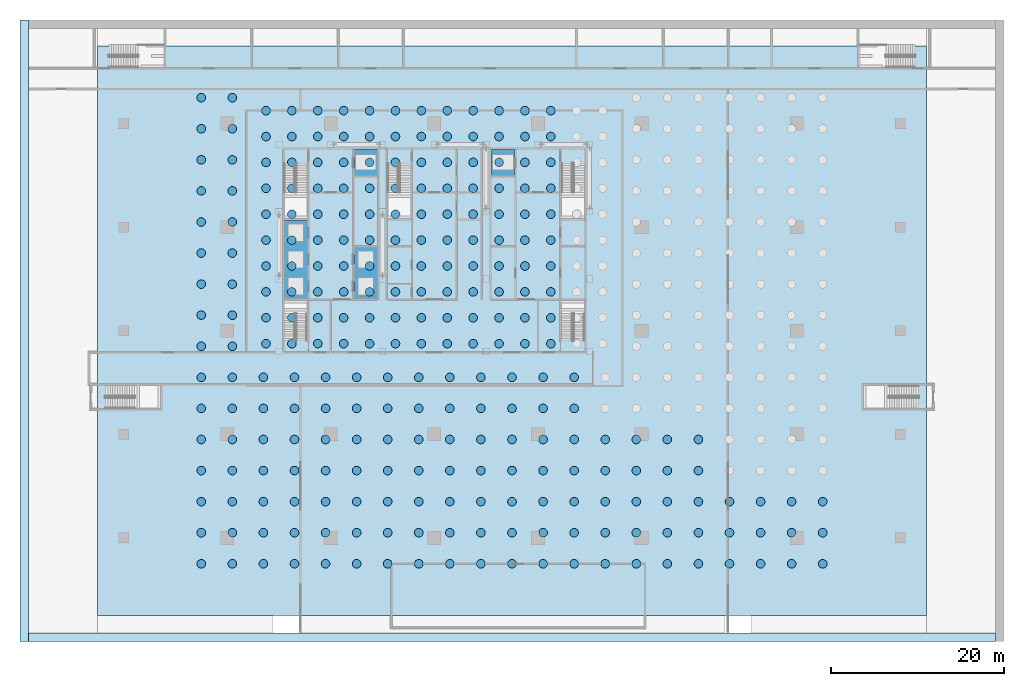
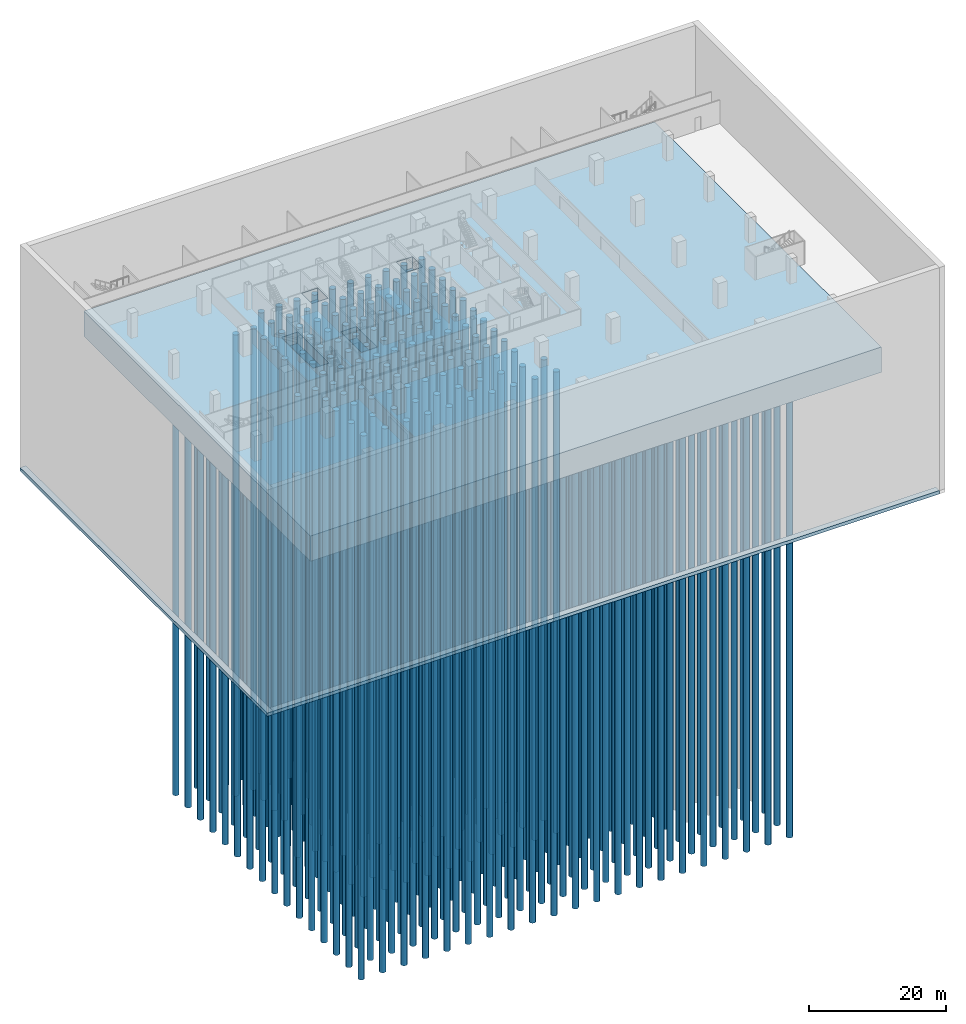
# One storey, part 1 of 18: 261 piles, 7 footings.
"""IFC4 building model written with IfcOpenShell, lengths in metres."""

from ifc_helpers import new_model, si_unit, direction, frame, origin, origin_2d, place, context, subcontext, project, spatial, polyline, circle, outline, extrude, material, layer, layer_set, material_profile, profile_set, type_object, element, save


model = new_model("IFC4")

# Units and contexts
model_context = context("Model", 3, precision=1e-05, world=origin(), true_north=direction((0.0, 1.0)))
body_context = subcontext(model_context, "Body", "Model", "MODEL_VIEW")
ifc_project = project(units=[si_unit("LENGTHUNIT", "METRE"), si_unit("AREAUNIT", "SQUARE_METRE"), si_unit("VOLUMEUNIT", "CUBIC_METRE"), si_unit("PLANEANGLEUNIT", "RADIAN"), si_unit("MASSUNIT", "GRAM", prefix="KILO")], contexts=[model_context])

# Site, building, storey
site_placement = place(None, origin())
site = spatial("IfcSite", under=ifc_project, at=site_placement, CompositionType="ELEMENT")
building_placement = place(site_placement, origin())
building = spatial("IfcBuilding", under=site, at=building_placement, Name="Sorahane Residences", CompositionType="ELEMENT")
storey_placement = place(building_placement, frame((0.0, 0.0, -13.5)))
storey = spatial("IfcBuildingStorey", under=building, at=storey_placement, Name="B3", CompositionType="ELEMENT", Elevation=-13.5)

# Piles
ifc_material_1 = material(Name="Concrete C40", Category="concrete")
ifc_material_profile = material_profile(ifc_material_1, circle(Radius=0.5, at=origin_2d()), Name="D1000")
ifc_profile_set = profile_set([ifc_material_profile], Name="Concrete C40")
pile_type = type_object("IfcPileType", Name="Bored pile D1000 Concrete C40", PredefinedType="BORED", material=ifc_profile_set)
for number, where, z_axis, x_axis, name in (
    (1, (-3.0, -3.0, -4.39990234375), (0.0, 0.0, -1.0), (1.0, 0.0, 0.0), "Pile P001"),
    (2, (0.60009765625, -3.0, -4.39990234375), (0.0, 0.0, -1.0), (1.0, 0.0, 0.0), "Pile P002"),
    (3, (4.199951171875, -3.0, -4.39990234375), (0.0, 0.0, -1.0), (1.0, 0.0, 0.0), "Pile P003"),
    (4, (7.800048828125, -3.0, -4.39990234375), (0.0, 0.0, -1.0), (1.0, 0.0, 0.0), "Pile P004"),
    (5, (11.39990234375, -3.0, -4.39990234375), (0.0, 0.0, -1.0), (1.0, 0.0, 0.0), "Pile P005"),
    (6, (15.0, -3.0, -4.39990234375), (0.0, 0.0, -1.0), (1.0, 0.0, 0.0), "Pile P006"),
    (7, (18.60009765625, -3.0, -4.39990234375), (0.0, 0.0, -1.0), (1.0, 0.0, 0.0), "Pile P007"),
    (8, (22.199951171875, -3.0, -4.39990234375), (0.0, 0.0, -1.0), (1.0, 0.0, 0.0), "Pile P008"),
    (9, (25.800048828125, -3.0, -4.39990234375), (0.0, 0.0, -1.0), (1.0, 0.0, 0.0), "Pile P009"),
    (10, (29.39990234375, -3.0, -4.39990234375), (0.0, 0.0, -1.0), (1.0, 0.0, 0.0), "Pile P010"),
    (11, (33.0, -3.0, -4.39990234375), (0.0, 0.0, -1.0), (1.0, 0.0, 0.0), "Pile P011"),
    (12, (36.60009765625, -3.0, -4.39990234375), (0.0, 0.0, -1.0), (1.0, 0.0, 0.0), "Pile P012"),
    (13, (40.199951171875, -3.0, -4.39990234375), (0.0, 0.0, -1.0), (1.0, 0.0, 0.0), "Pile P013"),
    (14, (43.800048828125, -3.0, -4.39990234375), (0.0, 0.0, -1.0), (1.0, 0.0, 0.0), "Pile P014"),
    (15, (47.39990234375, -3.0, -4.39990234375), (0.0, 0.0, -1.0), (1.0, 0.0, 0.0), "Pile P015"),
    (16, (51.0, -3.0, -4.39990234375), (0.0, 0.0, -1.0), (1.0, 0.0, 0.0), "Pile P016"),
    (17, (54.60009765625, -3.0, -4.39990234375), (0.0, 0.0, -1.0), (1.0, 0.0, 0.0), "Pile P017"),
    (18, (58.199951171875, -3.0, -4.39990234375), (0.0, 0.0, -1.0), (1.0, 0.0, 0.0), "Pile P018"),
    (19, (61.800048828125, -3.0, -4.39990234375), (0.0, 0.0, -1.0), (1.0, 0.0, 0.0), "Pile P019"),
    (20, (65.39990234375, -3.0, -4.39990234375), (0.0, 0.0, -1.0), (1.0, 0.0, 0.0), "Pile P020"),
    (21, (69.0, -3.0, -4.39990234375), (0.0, 0.0, -1.0), (1.0, 0.0, 0.0), "Pile P021"),
    (22, (-3.0, 0.60009765625, -4.39990234375), (0.0, 0.0, -1.0), (1.0, 0.0, 0.0), "Pile P022"),
    (23, (0.60009765625, 0.60009765625, -4.39990234375), (0.0, 0.0, -1.0), (1.0, 0.0, 0.0), "Pile P023"),
    (24, (4.199951171875, 0.60009765625, -4.39990234375), (0.0, 0.0, -1.0), (1.0, 0.0, 0.0), "Pile P024"),
    (25, (7.800048828125, 0.60009765625, -4.39990234375), (0.0, 0.0, -1.0), (1.0, 0.0, 0.0), "Pile P025"),
    (26, (11.39990234375, 0.60009765625, -4.39990234375), (0.0, 0.0, -1.0), (1.0, 0.0, 0.0), "Pile P026"),
    (27, (15.0, 0.60009765625, -4.39990234375), (0.0, 0.0, -1.0), (1.0, 0.0, 0.0), "Pile P027"),
    (28, (18.60009765625, 0.60009765625, -4.39990234375), (0.0, 0.0, -1.0), (1.0, 0.0, 0.0), "Pile P028"),
    (29, (22.199951171875, 0.60009765625, -4.39990234375), (0.0, 0.0, -1.0), (1.0, 0.0, 0.0), "Pile P029"),
    (30, (25.800048828125, 0.60009765625, -4.39990234375), (0.0, 0.0, -1.0), (1.0, 0.0, 0.0), "Pile P030"),
    (31, (29.39990234375, 0.60009765625, -4.39990234375), (0.0, 0.0, -1.0), (1.0, 0.0, 0.0), "Pile P031"),
    (32, (33.0, 0.60009765625, -4.39990234375), (0.0, 0.0, -1.0), (1.0, 0.0, 0.0), "Pile P032"),
    (33, (36.60009765625, 0.60009765625, -4.39990234375), (0.0, 0.0, -1.0), (1.0, 0.0, 0.0), "Pile P033"),
    (34, (40.199951171875, 0.60009765625, -4.39990234375), (0.0, 0.0, -1.0), (1.0, 0.0, 0.0), "Pile P034"),
    (35, (43.800048828125, 0.60009765625, -4.39990234375), (0.0, 0.0, -1.0), (1.0, 0.0, 0.0), "Pile P035"),
    (36, (47.39990234375, 0.60009765625, -4.39990234375), (0.0, 0.0, -1.0), (1.0, 0.0, 0.0), "Pile P036"),
    (37, (51.0, 0.60009765625, -4.39990234375), (0.0, 0.0, -1.0), (1.0, 0.0, 0.0), "Pile P037"),
    (38, (54.60009765625, 0.60009765625, -4.39990234375), (0.0, 0.0, -1.0), (1.0, 0.0, 0.0), "Pile P038"),
    (39, (58.199951171875, 0.60009765625, -4.39990234375), (0.0, 0.0, -1.0), (1.0, 0.0, 0.0), "Pile P039"),
    (40, (61.800048828125, 0.60009765625, -4.39990234375), (0.0, 0.0, -1.0), (1.0, 0.0, 0.0), "Pile P040"),
    (41, (65.39990234375, 0.60009765625, -4.39990234375), (0.0, 0.0, -1.0), (1.0, 0.0, 0.0), "Pile P041"),
    (42, (69.0, 0.60009765625, -4.39990234375), (0.0, 0.0, -1.0), (1.0, 0.0, 0.0), "Pile P042"),
    (43, (-3.0, 4.199951171875, -4.39990234375), (0.0, 0.0, -1.0), (1.0, 0.0, 0.0), "Pile P043"),
    (44, (0.60009765625, 4.199951171875, -4.39990234375), (0.0, 0.0, -1.0), (1.0, 0.0, 0.0), "Pile P044"),
    (45, (4.199951171875, 4.199951171875, -4.39990234375), (0.0, 0.0, -1.0), (1.0, 0.0, 0.0), "Pile P045"),
    (46, (7.800048828125, 4.199951171875, -4.39990234375), (0.0, 0.0, -1.0), (1.0, 0.0, 0.0), "Pile P046"),
    (47, (11.39990234375, 4.199951171875, -4.39990234375), (0.0, 0.0, -1.0), (1.0, 0.0, 0.0), "Pile P047"),
    (48, (15.0, 4.199951171875, -4.39990234375), (0.0, 0.0, -1.0), (1.0, 0.0, 0.0), "Pile P048"),
    (49, (18.60009765625, 4.199951171875, -4.39990234375), (0.0, 0.0, -1.0), (1.0, 0.0, 0.0), "Pile P049"),
    (50, (22.199951171875, 4.199951171875, -4.39990234375), (0.0, 0.0, -1.0), (1.0, 0.0, 0.0), "Pile P050"),
    (51, (25.800048828125, 4.199951171875, -4.39990234375), (0.0, 0.0, -1.0), (1.0, 0.0, 0.0), "Pile P051"),
    (52, (29.39990234375, 4.199951171875, -4.39990234375), (0.0, 0.0, -1.0), (1.0, 0.0, 0.0), "Pile P052"),
    (53, (33.0, 4.199951171875, -4.39990234375), (0.0, 0.0, -1.0), (1.0, 0.0, 0.0), "Pile P053"),
    (54, (36.60009765625, 4.199951171875, -4.39990234375), (0.0, 0.0, -1.0), (1.0, 0.0, 0.0), "Pile P054"),
    (55, (40.199951171875, 4.199951171875, -4.39990234375), (0.0, 0.0, -1.0), (1.0, 0.0, 0.0), "Pile P055"),
    (56, (43.800048828125, 4.199951171875, -4.39990234375), (0.0, 0.0, -1.0), (1.0, 0.0, 0.0), "Pile P056"),
    (57, (47.39990234375, 4.199951171875, -4.39990234375), (0.0, 0.0, -1.0), (1.0, 0.0, 0.0), "Pile P057"),
    (58, (51.0, 4.199951171875, -4.39990234375), (0.0, 0.0, -1.0), (1.0, 0.0, 0.0), "Pile P058"),
    (59, (54.60009765625, 4.199951171875, -4.39990234375), (0.0, 0.0, -1.0), (1.0, 0.0, 0.0), "Pile P059"),
    (60, (58.199951171875, 4.199951171875, -4.39990234375), (0.0, 0.0, -1.0), (1.0, 0.0, 0.0), "Pile P060"),
    (61, (61.800048828125, 4.199951171875, -4.39990234375), (0.0, 0.0, -1.0), (1.0, 0.0, 0.0), "Pile P061"),
    (62, (65.39990234375, 4.199951171875, -4.39990234375), (0.0, 0.0, -1.0), (1.0, 0.0, 0.0), "Pile P062"),
    (63, (69.0, 4.199951171875, -4.39990234375), (0.0, 0.0, -1.0), (1.0, 0.0, 0.0), "Pile P063"),
    (64, (-3.0, 7.800048828125, -4.39990234375), (0.0, 0.0, -1.0), (1.0, 0.0, 0.0), "Pile P064"),
    (65, (0.60009765625, 7.800048828125, -4.39990234375), (0.0, 0.0, -1.0), (1.0, 0.0, 0.0), "Pile P065"),
    (66, (4.199951171875, 7.800048828125, -4.39990234375), (0.0, 0.0, -1.0), (1.0, 0.0, 0.0), "Pile P066"),
    (67, (7.800048828125, 7.800048828125, -4.39990234375), (0.0, 0.0, -1.0), (1.0, 0.0, 0.0), "Pile P067"),
    (68, (11.39990234375, 7.800048828125, -4.39990234375), (0.0, 0.0, -1.0), (1.0, 0.0, 0.0), "Pile P068"),
    (69, (15.0, 7.800048828125, -4.39990234375), (0.0, 0.0, -1.0), (1.0, 0.0, 0.0), "Pile P069"),
    (70, (18.60009765625, 7.800048828125, -4.39990234375), (0.0, 0.0, -1.0), (1.0, 0.0, 0.0), "Pile P070"),
    (71, (22.199951171875, 7.800048828125, -4.39990234375), (0.0, 0.0, -1.0), (1.0, 0.0, 0.0), "Pile P071"),
    (72, (25.800048828125, 7.800048828125, -4.39990234375), (0.0, 0.0, -1.0), (1.0, 0.0, 0.0), "Pile P072"),
    (73, (29.39990234375, 7.800048828125, -4.39990234375), (0.0, 0.0, -1.0), (1.0, 0.0, 0.0), "Pile P073"),
    (74, (33.0, 7.800048828125, -4.39990234375), (0.0, 0.0, -1.0), (1.0, 0.0, 0.0), "Pile P074"),
    (75, (36.60009765625, 7.800048828125, -4.39990234375), (0.0, 0.0, -1.0), (1.0, 0.0, 0.0), "Pile P075"),
    (76, (40.199951171875, 7.800048828125, -4.39990234375), (0.0, 0.0, -1.0), (1.0, 0.0, 0.0), "Pile P076"),
    (77, (43.800048828125, 7.800048828125, -4.39990234375), (0.0, 0.0, -1.0), (1.0, 0.0, 0.0), "Pile P077"),
    (78, (47.39990234375, 7.800048828125, -4.39990234375), (0.0, 0.0, -1.0), (1.0, 0.0, 0.0), "Pile P078"),
    (79, (51.0, 7.800048828125, -4.39990234375), (0.0, 0.0, -1.0), (1.0, 0.0, 0.0), "Pile P079"),
    (80, (54.60009765625, 7.800048828125, -4.39990234375), (0.0, 0.0, -1.0), (1.0, 0.0, 0.0), "Pile P080"),
    (81, (-3.0, 11.39990234375, -4.39990234375), (0.0, 0.0, -1.0), (1.0, 0.0, 0.0), "Pile P085"),
    (82, (0.60009765625, 11.39990234375, -4.39990234375), (0.0, 0.0, -1.0), (1.0, 0.0, 0.0), "Pile P086"),
    (83, (4.199951171875, 11.39990234375, -4.39990234375), (0.0, 0.0, -1.0), (1.0, 0.0, 0.0), "Pile P087"),
    (84, (7.800048828125, 11.39990234375, -4.39990234375), (0.0, 0.0, -1.0), (1.0, 0.0, 0.0), "Pile P088"),
    (85, (11.39990234375, 11.39990234375, -4.39990234375), (0.0, 0.0, -1.0), (1.0, 0.0, 0.0), "Pile P089"),
    (86, (15.0, 11.39990234375, -4.39990234375), (0.0, 0.0, -1.0), (1.0, 0.0, 0.0), "Pile P090"),
    (87, (18.60009765625, 11.39990234375, -4.39990234375), (0.0, 0.0, -1.0), (1.0, 0.0, 0.0), "Pile P091"),
    (88, (22.199951171875, 11.39990234375, -4.39990234375), (0.0, 0.0, -1.0), (1.0, 0.0, 0.0), "Pile P092"),
    (89, (25.800048828125, 11.39990234375, -4.39990234375), (0.0, 0.0, -1.0), (1.0, 0.0, 0.0), "Pile P093"),
    (90, (29.39990234375, 11.39990234375, -4.39990234375), (0.0, 0.0, -1.0), (1.0, 0.0, 0.0), "Pile P094"),
    (91, (33.0, 11.39990234375, -4.39990234375), (0.0, 0.0, -1.0), (1.0, 0.0, 0.0), "Pile P095"),
    (92, (36.60009765625, 11.39990234375, -4.39990234375), (0.0, 0.0, -1.0), (1.0, 0.0, 0.0), "Pile P096"),
    (93, (40.199951171875, 11.39990234375, -4.39990234375), (0.0, 0.0, -1.0), (1.0, 0.0, 0.0), "Pile P097"),
    (94, (43.800048828125, 11.39990234375, -4.39990234375), (0.0, 0.0, -1.0), (1.0, 0.0, 0.0), "Pile P098"),
    (95, (47.39990234375, 11.39990234375, -4.39990234375), (0.0, 0.0, -1.0), (1.0, 0.0, 0.0), "Pile P099"),
    (96, (51.0, 11.39990234375, -4.39990234375), (0.0, 0.0, -1.0), (1.0, 0.0, 0.0), "Pile P100"),
    (97, (54.60009765625, 11.39990234375, -4.39990234375), (0.0, 0.0, -1.0), (1.0, 0.0, 0.0), "Pile P101"),
    (98, (-3.0, 15.0, -4.39990234375), (0.0, 0.0, -1.0), (1.0, 0.0, 0.0), "Pile P106"),
    (99, (0.60009765625, 15.0, -4.39990234375), (0.0, 0.0, -1.0), (1.0, 0.0, 0.0), "Pile P107"),
    (100, (4.199951171875, 15.0, -4.39990234375), (0.0, 0.0, -1.0), (1.0, 0.0, 0.0), "Pile P108"),
    (101, (7.800048828125, 15.0, -4.39990234375), (0.0, 0.0, -1.0), (1.0, 0.0, 0.0), "Pile P109"),
    (102, (11.39990234375, 15.0, -4.39990234375), (0.0, 0.0, -1.0), (1.0, 0.0, 0.0), "Pile P110"),
    (103, (15.0, 15.0, -4.39990234375), (0.0, 0.0, -1.0), (1.0, 0.0, 0.0), "Pile P111"),
    (104, (18.60009765625, 15.0, -4.39990234375), (0.0, 0.0, -1.0), (1.0, 0.0, 0.0), "Pile P112"),
    (105, (22.199951171875, 15.0, -4.39990234375), (0.0, 0.0, -1.0), (1.0, 0.0, 0.0), "Pile P113"),
    (106, (25.800048828125, 15.0, -4.39990234375), (0.0, 0.0, -1.0), (1.0, 0.0, 0.0), "Pile P114"),
    (107, (29.39990234375, 15.0, -4.39990234375), (0.0, 0.0, -1.0), (1.0, 0.0, 0.0), "Pile P115"),
    (108, (33.0, 15.0, -4.39990234375), (0.0, 0.0, -1.0), (1.0, 0.0, 0.0), "Pile P116"),
    (109, (36.60009765625, 15.0, -4.39990234375), (0.0, 0.0, -1.0), (1.0, 0.0, 0.0), "Pile P117"),
    (110, (40.199951171875, 15.0, -4.39990234375), (0.0, 0.0, -1.0), (1.0, 0.0, 0.0), "Pile P118"),
    (111, (-3.0, 18.60009765625, -4.39990234375), (0.0, 0.0, -1.0), (1.0, 0.0, 0.0), "Pile P127"),
    (112, (0.60009765625, 18.60009765625, -4.39990234375), (0.0, 0.0, -1.0), (1.0, 0.0, 0.0), "Pile P128"),
    (113, (4.199951171875, 18.60009765625, -4.39990234375), (0.0, 0.0, -1.0), (1.0, 0.0, 0.0), "Pile P129"),
    (114, (7.800048828125, 18.60009765625, -4.39990234375), (0.0, 0.0, -1.0), (1.0, 0.0, 0.0), "Pile P130"),
    (115, (11.39990234375, 18.60009765625, -4.39990234375), (0.0, 0.0, -1.0), (1.0, 0.0, 0.0), "Pile P131"),
    (116, (15.0, 18.60009765625, -4.39990234375), (0.0, 0.0, -1.0), (1.0, 0.0, 0.0), "Pile P132"),
    (117, (18.60009765625, 18.60009765625, -4.39990234375), (0.0, 0.0, -1.0), (1.0, 0.0, 0.0), "Pile P133"),
    (118, (22.199951171875, 18.60009765625, -4.39990234375), (0.0, 0.0, -1.0), (1.0, 0.0, 0.0), "Pile P134"),
    (119, (25.800048828125, 18.60009765625, -4.39990234375), (0.0, 0.0, -1.0), (1.0, 0.0, 0.0), "Pile P135"),
    (120, (29.39990234375, 18.60009765625, -4.39990234375), (0.0, 0.0, -1.0), (1.0, 0.0, 0.0), "Pile P136"),
    (121, (33.0, 18.60009765625, -4.39990234375), (0.0, 0.0, -1.0), (1.0, 0.0, 0.0), "Pile P137"),
    (122, (36.60009765625, 18.60009765625, -4.39990234375), (0.0, 0.0, -1.0), (1.0, 0.0, 0.0), "Pile P138"),
    (123, (40.199951171875, 18.60009765625, -4.39990234375), (0.0, 0.0, -1.0), (1.0, 0.0, 0.0), "Pile P139"),
    (124, (-3.0, 22.199951171875, -4.39990234375), (0.0, 0.0, -1.0), (1.0, 0.0, 0.0), "Pile P148"),
    (125, (0.60009765625, 22.199951171875, -4.39990234375), (0.0, 0.0, -1.0), (1.0, 0.0, 0.0), "Pile P149"),
    (126, (4.5, 22.5, -4.39990234375), (0.0, 0.0, -1.0), (1.0, 0.0, 0.0), "Pile P157"),
    (127, (7.5, 22.5, -4.39990234375), (0.0, 0.0, -1.0), (1.0, 0.0, 0.0), "Pile P158"),
    (128, (10.5, 22.5, -4.39990234375), (0.0, 0.0, -1.0), (1.0, 0.0, 0.0), "Pile P159"),
    (129, (13.5, 22.5, -4.39990234375), (0.0, 0.0, -1.0), (1.0, 0.0, 0.0), "Pile P160"),
    (130, (16.5, 22.5, -4.39990234375), (0.0, 0.0, -1.0), (1.0, 0.0, 0.0), "Pile P161"),
    (131, (19.5, 22.5, -4.39990234375), (0.0, 0.0, -1.0), (1.0, 0.0, 0.0), "Pile P162"),
    (132, (22.5, 22.5, -4.39990234375), (0.0, 0.0, -1.0), (1.0, 0.0, 0.0), "Pile P163"),
    (133, (25.5, 22.5, -4.39990234375), (0.0, 0.0, -1.0), (1.0, 0.0, 0.0), "Pile P164"),
    (134, (28.5, 22.5, -4.39990234375), (0.0, 0.0, -1.0), (1.0, 0.0, 0.0), "Pile P165"),
    (135, (31.5, 22.5, -4.39990234375), (0.0, 0.0, -1.0), (1.0, 0.0, 0.0), "Pile P166"),
    (136, (34.5, 22.5, -4.39990234375), (0.0, 0.0, -1.0), (1.0, 0.0, 0.0), "Pile P167"),
    (137, (37.5, 22.5, -4.39990234375), (0.0, 0.0, -1.0), (1.0, 0.0, 0.0), "Pile P168"),
    (138, (4.5, 25.5, -4.39990234375), (0.0, 0.0, -1.0), (1.0, 0.0, 0.0), "Pile P171"),
    (139, (7.5, 25.5, -4.39990234375), (0.0, 0.0, -1.0), (1.0, 0.0, 0.0), "Pile P172"),
    (140, (10.5, 25.5, -4.39990234375), (0.0, 0.0, -1.0), (1.0, 0.0, 0.0), "Pile P173"),
    (141, (13.5, 25.5, -4.39990234375), (0.0, 0.0, -1.0), (1.0, 0.0, 0.0), "Pile P174"),
    (142, (16.5, 25.5, -4.39990234375), (0.0, 0.0, -1.0), (1.0, 0.0, 0.0), "Pile P175"),
    (143, (19.5, 25.5, -4.39990234375), (0.0, 0.0, -1.0), (1.0, 0.0, 0.0), "Pile P176"),
    (144, (22.5, 25.5, -4.39990234375), (0.0, 0.0, -1.0), (1.0, 0.0, 0.0), "Pile P177"),
    (145, (25.5, 25.5, -4.39990234375), (0.0, 0.0, -1.0), (1.0, 0.0, 0.0), "Pile P178"),
    (146, (28.5, 25.5, -4.39990234375), (0.0, 0.0, -1.0), (1.0, 0.0, 0.0), "Pile P179"),
    (147, (31.5, 25.5, -4.39990234375), (0.0, 0.0, -1.0), (1.0, 0.0, 0.0), "Pile P180"),
    (148, (34.5, 25.5, -4.39990234375), (0.0, 0.0, -1.0), (1.0, 0.0, 0.0), "Pile P181"),
    (149, (37.5, 25.5, -4.39990234375), (0.0, 0.0, -1.0), (1.0, 0.0, 0.0), "Pile P182"),
    (150, (-3.0, 25.800048828125, -4.39990234375), (0.0, 0.0, -1.0), (1.0, 0.0, 0.0), "Pile P185"),
    (151, (0.60009765625, 25.800048828125, -4.39990234375), (0.0, 0.0, -1.0), (1.0, 0.0, 0.0), "Pile P186"),
    (152, (4.5, 28.5, -4.39990234375), (0.0, 0.0, -1.0), (1.0, 0.0, 0.0), "Pile P194"),
    (153, (7.5, 28.5, -4.39990234375), (0.0, 0.0, -1.0), (1.0, 0.0, 0.0), "Pile P195"),
    (154, (10.5, 28.5, -4.39990234375), (0.0, 0.0, -1.0), (1.0, 0.0, 0.0), "Pile P196"),
    (155, (13.5, 28.5, -4.39990234375), (0.0, 0.0, -1.0), (1.0, 0.0, 0.0), "Pile P197"),
    (156, (16.5, 28.5, -4.39990234375), (0.0, 0.0, -1.0), (1.0, 0.0, 0.0), "Pile P198"),
    (157, (19.5, 28.5, -4.39990234375), (0.0, 0.0, -1.0), (1.0, 0.0, 0.0), "Pile P199"),
    (158, (22.5, 28.5, -4.39990234375), (0.0, 0.0, -1.0), (1.0, 0.0, 0.0), "Pile P200"),
    (159, (25.5, 28.5, -4.39990234375), (0.0, 0.0, -1.0), (1.0, 0.0, 0.0), "Pile P201"),
    (160, (28.5, 28.5, -4.39990234375), (0.0, 0.0, -1.0), (1.0, 0.0, 0.0), "Pile P202"),
    (161, (31.5, 28.5, -4.39990234375), (0.0, 0.0, -1.0), (1.0, 0.0, 0.0), "Pile P203"),
    (162, (34.5, 28.5, -4.39990234375), (0.0, 0.0, -1.0), (1.0, 0.0, 0.0), "Pile P204"),
    (163, (37.5, 28.5, -4.39990234375), (0.0, 0.0, -1.0), (1.0, 0.0, 0.0), "Pile P205"),
    (164, (-3.0, 29.39990234375, -4.39990234375), (0.0, 0.0, -1.0), (1.0, 0.0, 0.0), "Pile P208"),
    (165, (0.60009765625, 29.39990234375, -4.39990234375), (0.0, 0.0, -1.0), (1.0, 0.0, 0.0), "Pile P209"),
    (166, (4.5, 31.5, -4.39990234375), (0.0, 0.0, -1.0), (1.0, 0.0, 0.0), "Pile P217"),
    (167, (7.5, 31.5, -4.39990234375), (0.0, 0.0, -1.0), (1.0, 0.0, 0.0), "Pile P218"),
    (168, (10.5, 31.5, -4.39990234375), (0.0, 0.0, -1.0), (1.0, 0.0, 0.0), "Pile P219"),
    (169, (13.5, 31.5, -4.39990234375), (0.0, 0.0, -1.0), (1.0, 0.0, 0.0), "Pile P220"),
    (170, (16.5, 31.5, -4.39990234375), (0.0, 0.0, -1.0), (1.0, 0.0, 0.0), "Pile P221"),
    (171, (19.5, 31.5, -4.39990234375), (0.0, 0.0, -1.0), (1.0, 0.0, 0.0), "Pile P222"),
    (172, (22.5, 31.5, -4.39990234375), (0.0, 0.0, -1.0), (1.0, 0.0, 0.0), "Pile P223"),
    (173, (25.5, 31.5, -4.39990234375), (0.0, 0.0, -1.0), (1.0, 0.0, 0.0), "Pile P224"),
    (174, (28.5, 31.5, -4.39990234375), (0.0, 0.0, -1.0), (1.0, 0.0, 0.0), "Pile P225"),
    (175, (31.5, 31.5, -4.39990234375), (0.0, 0.0, -1.0), (1.0, 0.0, 0.0), "Pile P226"),
    (176, (34.5, 31.5, -4.39990234375), (0.0, 0.0, -1.0), (1.0, 0.0, 0.0), "Pile P227"),
    (177, (37.5, 31.5, -4.39990234375), (0.0, 0.0, -1.0), (1.0, 0.0, 0.0), "Pile P228"),
    (178, (-3.0, 33.0, -4.39990234375), (0.0, 0.0, -1.0), (1.0, 0.0, 0.0), "Pile P231"),
    (179, (0.60009765625, 33.0, -4.39990234375), (0.0, 0.0, -1.0), (1.0, 0.0, 0.0), "Pile P232"),
    (180, (4.5, 34.5, -4.39990234375), (0.0, 0.0, -1.0), (1.0, 0.0, 0.0), "Pile P240"),
    (181, (7.5, 34.5, -4.39990234375), (0.0, 0.0, -1.0), (1.0, 0.0, 0.0), "Pile P241"),
    (182, (10.5, 34.5, -4.39990234375), (0.0, 0.0, -1.0), (1.0, 0.0, 0.0), "Pile P242"),
    (183, (13.5, 34.5, -4.39990234375), (0.0, 0.0, -1.0), (1.0, 0.0, 0.0), "Pile P243"),
    (184, (16.5, 34.5, -4.39990234375), (0.0, 0.0, -1.0), (1.0, 0.0, 0.0), "Pile P244"),
    (185, (19.5, 34.5, -4.39990234375), (0.0, 0.0, -1.0), (1.0, 0.0, 0.0), "Pile P245"),
    (186, (22.5, 34.5, -4.39990234375), (0.0, 0.0, -1.0), (1.0, 0.0, 0.0), "Pile P246"),
    (187, (25.5, 34.5, -4.39990234375), (0.0, 0.0, -1.0), (1.0, 0.0, 0.0), "Pile P247"),
    (188, (28.5, 34.5, -4.39990234375), (0.0, 0.0, -1.0), (1.0, 0.0, 0.0), "Pile P248"),
    (189, (31.5, 34.5, -4.39990234375), (0.0, 0.0, -1.0), (1.0, 0.0, 0.0), "Pile P249"),
    (190, (34.5, 34.5, -4.39990234375), (0.0, 0.0, -1.0), (1.0, 0.0, 0.0), "Pile P250"),
    (191, (37.5, 34.5, -4.39990234375), (0.0, 0.0, -1.0), (1.0, 0.0, 0.0), "Pile P251"),
    (192, (-3.0, 36.60009765625, -4.39990234375), (0.0, 0.0, -1.0), (1.0, 0.0, 0.0), "Pile P254"),
    (193, (0.60009765625, 36.60009765625, -4.39990234375), (0.0, 0.0, -1.0), (1.0, 0.0, 0.0), "Pile P255"),
    (194, (4.5, 37.5, -4.39990234375), (0.0, 0.0, -1.0), (1.0, 0.0, 0.0), "Pile P263"),
    (195, (7.5, 37.5, -4.39990234375), (0.0, 0.0, -1.0), (1.0, 0.0, 0.0), "Pile P264"),
    (196, (10.5, 37.5, -4.39990234375), (0.0, 0.0, -1.0), (1.0, 0.0, 0.0), "Pile P265"),
    (197, (13.5, 37.5, -4.39990234375), (0.0, 0.0, -1.0), (1.0, 0.0, 0.0), "Pile P266"),
    (198, (16.5, 37.5, -4.39990234375), (0.0, 0.0, -1.0), (1.0, 0.0, 0.0), "Pile P267"),
    (199, (19.5, 37.5, -4.39990234375), (0.0, 0.0, -1.0), (1.0, 0.0, 0.0), "Pile P268"),
    (200, (22.5, 37.5, -4.39990234375), (0.0, 0.0, -1.0), (1.0, 0.0, 0.0), "Pile P269"),
    (201, (25.5, 37.5, -4.39990234375), (0.0, 0.0, -1.0), (1.0, 0.0, 0.0), "Pile P270"),
    (202, (28.5, 37.5, -4.39990234375), (0.0, 0.0, -1.0), (1.0, 0.0, 0.0), "Pile P271"),
    (203, (31.5, 37.5, -4.39990234375), (0.0, 0.0, -1.0), (1.0, 0.0, 0.0), "Pile P272"),
    (204, (34.5, 37.5, -4.39990234375), (0.0, 0.0, -1.0), (1.0, 0.0, 0.0), "Pile P273"),
    (205, (37.5, 37.5, -4.39990234375), (0.0, 0.0, -1.0), (1.0, 0.0, 0.0), "Pile P274"),
    (206, (-3.0, 40.199951171875, -4.39990234375), (0.0, 0.0, -1.0), (1.0, 0.0, 0.0), "Pile P277"),
    (207, (0.60009765625, 40.199951171875, -4.39990234375), (0.0, 0.0, -1.0), (1.0, 0.0, 0.0), "Pile P278"),
    (208, (4.5, 40.5, -4.39990234375), (0.0, 0.0, -1.0), (1.0, 0.0, 0.0), "Pile P286"),
    (209, (7.5, 40.5, -4.39990234375), (0.0, 0.0, -1.0), (1.0, 0.0, 0.0), "Pile P287"),
    (210, (10.5, 40.5, -4.39990234375), (0.0, 0.0, -1.0), (1.0, 0.0, 0.0), "Pile P288"),
    (211, (13.5, 40.5, -4.39990234375), (0.0, 0.0, -1.0), (1.0, 0.0, 0.0), "Pile P289"),
    (212, (16.5, 40.5, -4.39990234375), (0.0, 0.0, -1.0), (1.0, 0.0, 0.0), "Pile P290"),
    (213, (19.5, 40.5, -4.39990234375), (0.0, 0.0, -1.0), (1.0, 0.0, 0.0), "Pile P291"),
    (214, (22.5, 40.5, -4.39990234375), (0.0, 0.0, -1.0), (1.0, 0.0, 0.0), "Pile P292"),
    (215, (25.5, 40.5, -4.39990234375), (0.0, 0.0, -1.0), (1.0, 0.0, 0.0), "Pile P293"),
    (216, (28.5, 40.5, -4.39990234375), (0.0, 0.0, -1.0), (1.0, 0.0, 0.0), "Pile P294"),
    (217, (31.5, 40.5, -4.39990234375), (0.0, 0.0, -1.0), (1.0, 0.0, 0.0), "Pile P295"),
    (218, (34.5, 40.5, -4.39990234375), (0.0, 0.0, -1.0), (1.0, 0.0, 0.0), "Pile P296"),
    (219, (37.5, 40.5, -4.39990234375), (0.0, 0.0, -1.0), (1.0, 0.0, 0.0), "Pile P297"),
    (220, (4.5, 43.5, -4.39990234375), (0.0, 0.0, -1.0), (1.0, 0.0, 0.0), "Pile P300"),
    (221, (7.5, 43.5, -4.39990234375), (0.0, 0.0, -1.0), (1.0, 0.0, 0.0), "Pile P301"),
    (222, (10.5, 43.5, -4.39990234375), (0.0, 0.0, -1.0), (1.0, 0.0, 0.0), "Pile P302"),
    (223, (13.5, 43.5, -4.39990234375), (0.0, 0.0, -1.0), (1.0, 0.0, 0.0), "Pile P303"),
    (224, (16.5, 43.5, -4.39990234375), (0.0, 0.0, -1.0), (1.0, 0.0, 0.0), "Pile P304"),
    (225, (19.5, 43.5, -4.39990234375), (0.0, 0.0, -1.0), (1.0, 0.0, 0.0), "Pile P305"),
    (226, (22.5, 43.5, -4.39990234375), (0.0, 0.0, -1.0), (1.0, 0.0, 0.0), "Pile P306"),
    (227, (25.5, 43.5, -4.39990234375), (0.0, 0.0, -1.0), (1.0, 0.0, 0.0), "Pile P307"),
    (228, (28.5, 43.5, -4.39990234375), (0.0, 0.0, -1.0), (1.0, 0.0, 0.0), "Pile P308"),
    (229, (31.5, 43.5, -4.39990234375), (0.0, 0.0, -1.0), (1.0, 0.0, 0.0), "Pile P309"),
    (230, (34.5, 43.5, -4.39990234375), (0.0, 0.0, -1.0), (1.0, 0.0, 0.0), "Pile P310"),
    (231, (37.5, 43.5, -4.39990234375), (0.0, 0.0, -1.0), (1.0, 0.0, 0.0), "Pile P311"),
    (232, (-3.0, 43.800048828125, -4.39990234375), (0.0, 0.0, -1.0), (1.0, 0.0, 0.0), "Pile P314"),
    (233, (0.60009765625, 43.800048828125, -4.39990234375), (0.0, 0.0, -1.0), (1.0, 0.0, 0.0), "Pile P315"),
    (234, (4.5, 46.5, -4.39990234375), (0.0, 0.0, -1.0), (1.0, 0.0, 0.0), "Pile P323"),
    (235, (7.5, 46.5, -4.39990234375), (0.0, 0.0, -1.0), (1.0, 0.0, 0.0), "Pile P324"),
    (236, (10.5, 46.5, -4.39990234375), (0.0, 0.0, -1.0), (1.0, 0.0, 0.0), "Pile P325"),
    (237, (13.5, 46.5, -4.39990234375), (0.0, 0.0, -1.0), (1.0, 0.0, 0.0), "Pile P326"),
    (238, (16.5, 46.5, -4.39990234375), (0.0, 0.0, -1.0), (1.0, 0.0, 0.0), "Pile P327"),
    (239, (19.5, 46.5, -4.39990234375), (0.0, 0.0, -1.0), (1.0, 0.0, 0.0), "Pile P328"),
    (240, (22.5, 46.5, -4.39990234375), (0.0, 0.0, -1.0), (1.0, 0.0, 0.0), "Pile P329"),
    (241, (25.5, 46.5, -4.39990234375), (0.0, 0.0, -1.0), (1.0, 0.0, 0.0), "Pile P330"),
    (242, (28.5, 46.5, -4.39990234375), (0.0, 0.0, -1.0), (1.0, 0.0, 0.0), "Pile P331"),
    (243, (31.5, 46.5, -4.39990234375), (0.0, 0.0, -1.0), (1.0, 0.0, 0.0), "Pile P332"),
    (244, (34.5, 46.5, -4.39990234375), (0.0, 0.0, -1.0), (1.0, 0.0, 0.0), "Pile P333"),
    (245, (37.5, 46.5, -4.39990234375), (0.0, 0.0, -1.0), (1.0, 0.0, 0.0), "Pile P334"),
    (246, (-3.0, 47.39990234375, -4.39990234375), (0.0, 0.0, -1.0), (1.0, 0.0, 0.0), "Pile P337"),
    (247, (0.60009765625, 47.39990234375, -4.39990234375), (0.0, 0.0, -1.0), (1.0, 0.0, 0.0), "Pile P338"),
    (248, (4.5, 49.5, -4.39990234375), (0.0, 0.0, -1.0), (1.0, 0.0, 0.0), "Pile P346"),
    (249, (7.5, 49.5, -4.39990234375), (0.0, 0.0, -1.0), (1.0, 0.0, 0.0), "Pile P347"),
    (250, (10.5, 49.5, -4.39990234375), (0.0, 0.0, -1.0), (1.0, 0.0, 0.0), "Pile P348"),
    (251, (13.5, 49.5, -4.39990234375), (0.0, 0.0, -1.0), (1.0, 0.0, 0.0), "Pile P349"),
    (252, (16.5, 49.5, -4.39990234375), (0.0, 0.0, -1.0), (1.0, 0.0, 0.0), "Pile P350"),
    (253, (19.5, 49.5, -4.39990234375), (0.0, 0.0, -1.0), (1.0, 0.0, 0.0), "Pile P351"),
    (254, (22.5, 49.5, -4.39990234375), (0.0, 0.0, -1.0), (1.0, 0.0, 0.0), "Pile P352"),
    (255, (25.5, 49.5, -4.39990234375), (0.0, 0.0, -1.0), (1.0, 0.0, 0.0), "Pile P353"),
    (256, (28.5, 49.5, -4.39990234375), (0.0, 0.0, -1.0), (1.0, 0.0, 0.0), "Pile P354"),
    (257, (31.5, 49.5, -4.39990234375), (0.0, 0.0, -1.0), (1.0, 0.0, 0.0), "Pile P355"),
    (258, (34.5, 49.5, -4.39990234375), (0.0, 0.0, -1.0), (1.0, 0.0, 0.0), "Pile P356"),
    (259, (37.5, 49.5, -4.39990234375), (0.0, 0.0, -1.0), (1.0, 0.0, 0.0), "Pile P357"),
    (260, (-3.0, 51.0, -4.39990234375), (0.0, 0.0, -1.0), (1.0, 0.0, 0.0), "Pile P360"),
    (261, (0.60009765625, 51.0, -4.39990234375), (0.0, 0.0, -1.0), (1.0, 0.0, 0.0), "Pile P361"),
):
    element("IfcPile", number, at=place(storey_placement, frame(where, z_axis=z_axis, x_axis=x_axis)), inside=storey, type_object=pile_type, Name=name, PredefinedType="BORED", context=body_context, shape_type="SweptSolid", body=[
        extrude(circle(Radius=0.5, at=origin_2d()), origin(), (0.0, 0.0, 1.0), 82.0),
    ])

# Footings
ifc_material_2 = material(Name="Concrete C40", Category="concrete")
ifc_layer_1 = layer(ifc_material_2, 0.60009765625)
ifc_layer_set_1 = layer_set([ifc_layer_1], Name="Diaphragm wall toe strip 600 mm Concrete C40")
footing_type_1 = type_object("IfcFootingType", Name="Diaphragm wall toe strip 600 mm Concrete C40", PredefinedType="STRIP_FOOTING", material=ifc_layer_set_1)
footing_1_placement = place(storey_placement, frame((0.0, 0.0, -27.10009765625)))
element("IfcFooting", 262, at=footing_1_placement, inside=storey, type_object=footing_type_1, Name="Diaphragm wall toe strip west", PredefinedType="STRIP_FOOTING", context=body_context, shape_type="SweptSolid", body=[
    extrude(outline(polyline([(-24.0, -12.0), (-23.0, -12.0), (-23.0, 60.0), (-24.0, 60.0), (-24.0, -12.0)])), origin(), (0.0, 0.0, 1.0), 0.60009765625),
])
footing_2_placement = place(storey_placement, frame((0.0, 0.0, -27.10009765625)))
element("IfcFooting", 263, at=footing_2_placement, inside=storey, type_object=footing_type_1, Name="Diaphragm wall toe strip south", PredefinedType="STRIP_FOOTING", context=body_context, shape_type="SweptSolid", body=[
    extrude(outline(polyline([(-23.0, -12.0), (89.0, -12.0), (89.0, -11.0), (-23.0, -11.0), (-23.0, -12.0)])), origin(), (0.0, 0.0, 1.0), 0.60009765625),
])
ifc_material_3 = material(Name="Concrete C50", Category="concrete")
ifc_layer_2 = layer(ifc_material_3, 4.5)
ifc_layer_set_2 = layer_set([ifc_layer_2], Name="Piled raft 4500 mm Concrete C50")
footing_type_2 = type_object("IfcFootingType", Name="Piled raft 4500 mm Concrete C50", PredefinedType="PILE_CAP", material=ifc_layer_set_2)
footing_3_placement = place(storey_placement, frame((0.0, 0.0, -4.5)))
element("IfcFooting", 264, at=footing_3_placement, inside=storey, type_object=footing_type_2, Name="Piled raft", PredefinedType="PILE_CAP", context=body_context, shape_type="SweptSolid", body=[
    extrude(outline(polyline([(-15.0, -9.0), (81.0, -9.0), (81.0, 57.0), (-15.0, 57.0), (-15.0, -9.0)]), holes=[polyline([(30.60009765625, 42.0), (33.300048828125, 42.0), (33.300048828125, 45.0), (30.60009765625, 45.0), (30.60009765625, 42.0)]), polyline([(14.699951171875, 27.699951171875), (17.39990234375, 27.699951171875), (17.39990234375, 33.699951171875), (14.699951171875, 33.699951171875), (14.699951171875, 27.699951171875)]), polyline([(14.699951171875, 42.0), (17.39990234375, 42.0), (17.39990234375, 45.0), (14.699951171875, 45.0), (14.699951171875, 42.0)]), polyline([(6.60009765625, 27.699951171875), (9.300048828125, 27.699951171875), (9.300048828125, 36.800048828125), (6.60009765625, 36.800048828125), (6.60009765625, 27.699951171875)])]), origin(), (0.0, 0.0, 1.0), 4.5),
])
ifc_material_4 = material(Name="Concrete C50", Category="concrete")
ifc_layer_3 = layer(ifc_material_4, 2.5)
ifc_layer_set_3 = layer_set([ifc_layer_3], Name="Pit base 2500 mm Concrete C50")
footing_type_3 = type_object("IfcFootingType", Name="Pit base 2500 mm Concrete C50", PredefinedType="PILE_CAP", material=ifc_layer_set_3)
footing_4_placement = place(storey_placement, frame((0.0, 0.0, -4.5)))
element("IfcFooting", 265, at=footing_4_placement, inside=storey, type_object=footing_type_3, Name="Pit base 1", PredefinedType="PILE_CAP", context=body_context, shape_type="SweptSolid", body=[
    extrude(outline(polyline([(30.60009765625, 42.0), (33.300048828125, 42.0), (33.300048828125, 45.0), (30.60009765625, 45.0), (30.60009765625, 42.0)])), origin(), (0.0, 0.0, 1.0), 2.5),
])
footing_5_placement = place(storey_placement, frame((0.0, 0.0, -4.5)))
element("IfcFooting", 266, at=footing_5_placement, inside=storey, type_object=footing_type_3, Name="Pit base 2", PredefinedType="PILE_CAP", context=body_context, shape_type="SweptSolid", body=[
    extrude(outline(polyline([(14.699951171875, 27.699951171875), (17.39990234375, 27.699951171875), (17.39990234375, 33.699951171875), (14.699951171875, 33.699951171875), (14.699951171875, 27.699951171875)])), origin(), (0.0, 0.0, 1.0), 2.5),
])
footing_6_placement = place(storey_placement, frame((0.0, 0.0, -4.5)))
element("IfcFooting", 267, at=footing_6_placement, inside=storey, type_object=footing_type_3, Name="Pit base 3", PredefinedType="PILE_CAP", context=body_context, shape_type="SweptSolid", body=[
    extrude(outline(polyline([(14.699951171875, 42.0), (17.39990234375, 42.0), (17.39990234375, 45.0), (14.699951171875, 45.0), (14.699951171875, 42.0)])), origin(), (0.0, 0.0, 1.0), 2.5),
])
footing_7_placement = place(storey_placement, frame((0.0, 0.0, -4.5)))
element("IfcFooting", 268, at=footing_7_placement, inside=storey, type_object=footing_type_3, Name="Pit base 4", PredefinedType="PILE_CAP", context=body_context, shape_type="SweptSolid", body=[
    extrude(outline(polyline([(6.60009765625, 27.699951171875), (9.300048828125, 27.699951171875), (9.300048828125, 36.800048828125), (6.60009765625, 36.800048828125), (6.60009765625, 27.699951171875)])), origin(), (0.0, 0.0, 1.0), 2.5),
])

save(model, "model.ifc")
